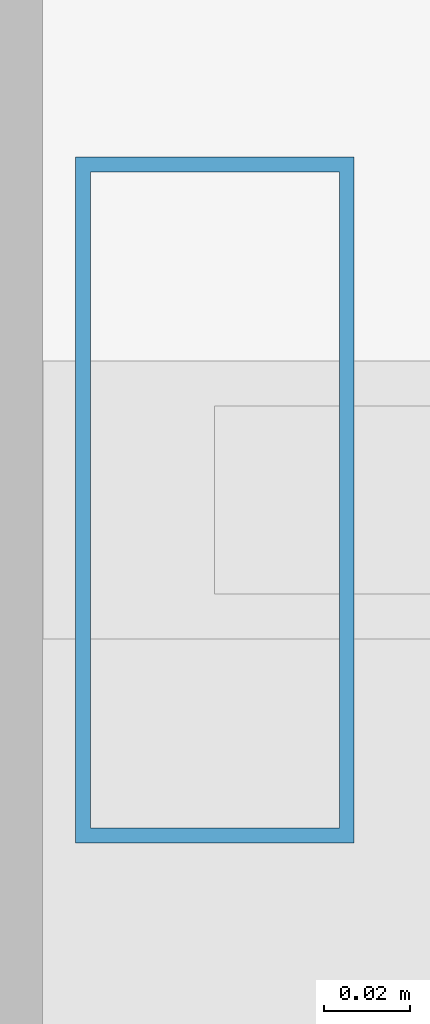
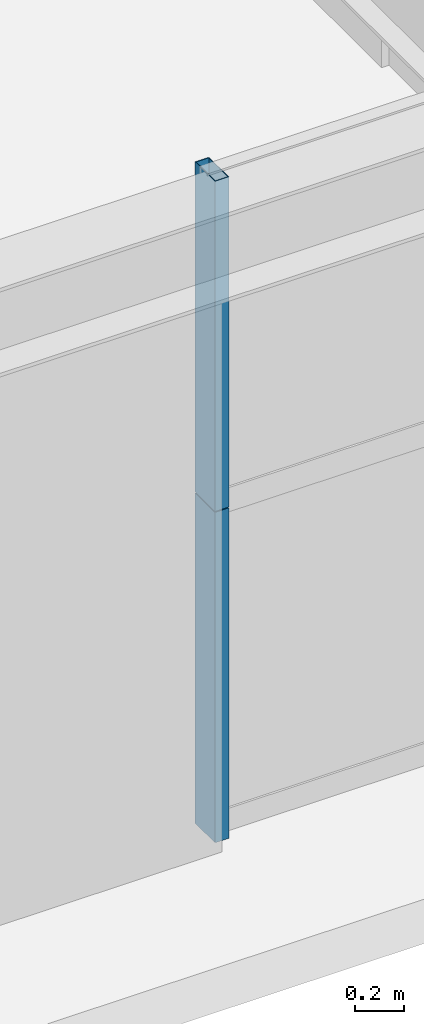
# One storey, part 4 of 42: 2 members, 1 element without a shape of its own.
"""IFC4 building model written with IfcOpenShell, lengths in metres."""

from ifc_helpers import new_model, si_unit, direction, frame, origin, origin_2d, place, context, subcontext, project, spatial, hollow_rectangle, extrude, source, transform, mapped, material, layer, layer_set, material_profile, profile_set, type_object, element, aggregate, save


model = new_model("IFC4")

# Units and contexts
model_context = context("Model", 3, precision=1e-05, world=origin(), true_north=direction((0.0, 1.0)))
body_context = subcontext(model_context, "Body", "Model", "MODEL_VIEW")
ifc_project = project(units=[si_unit("LENGTHUNIT", "METRE"), si_unit("AREAUNIT", "SQUARE_METRE"), si_unit("VOLUMEUNIT", "CUBIC_METRE"), si_unit("PLANEANGLEUNIT", "RADIAN"), si_unit("MASSUNIT", "GRAM", prefix="KILO"), si_unit("THERMODYNAMICTEMPERATUREUNIT", "KELVIN"), si_unit("POWERUNIT", "WATT")], contexts=[model_context])

# Site, building, storey
site_placement = place(None, origin())
site = spatial("IfcSite", under=ifc_project, at=site_placement, CompositionType="ELEMENT")
building_placement = place(site_placement, origin())
building = spatial("IfcBuilding", under=site, at=building_placement, Name="Yuzanri Waterfront Tower", CompositionType="ELEMENT")
storey_placement = place(building_placement, frame((0.0, 0.0, 205.5)))
storey = spatial("IfcBuildingStorey", under=building, at=storey_placement, Name="L54", CompositionType="ELEMENT", Elevation=205.5)

# Curtain wall, members
ifc_material_1 = material(Name="Anodized Architectural Bronze", Category="metal")
ifc_layer = layer(ifc_material_1, 0.159912109375)
ifc_layer_set = layer_set([ifc_layer], Name="Anodized Architectural Bronze")
curtain_wall_type = type_object("IfcCurtainWallType", Name="Anodized Bronze Mid-Rise Residential Acoustic Unitized Curtain Wall 7200", PredefinedType="NOTDEFINED", material=ifc_layer_set)
curtain_wall_placement = place(storey_placement, origin())
curtain_wall = element("IfcCurtainWall", 1, at=curtain_wall_placement, inside=storey, type_object=curtain_wall_type, Name="L54 Curtain Wall CW-L54-SL1", PredefinedType="NOTDEFINED")
ifc_material_2 = material(Name="Anodized Architectural Bronze", Category="metal")
ifc_material_profile = material_profile(ifc_material_2, hollow_rectangle(XDim=0.06494140625, YDim=0.159912109375, WallThickness=0.00341796875, at=origin_2d()), Name="CWM 65x160")
ifc_profile_set = profile_set([ifc_material_profile], Name="Anodized Architectural Bronze")
member_type = type_object("IfcMemberType", Name="Anodized Bronze Upper-Zone Curtain-Wall Mullion 65x160", PredefinedType="MULLION", material=ifc_profile_set)
shared_shape = source(origin(), body_context, "Body", "SweptSolid", [
    extrude(hollow_rectangle(XDim=0.06494140625, YDim=0.159912109375, WallThickness=0.00341796875, at=origin_2d()), origin(), (0.0, 0.0, 1.0), 1.637939453125),
])
member_1_placement = place(storey_placement, frame((22.2900390625, 3.85009765625, 0.0), z_axis=(0.0, 0.0, 1.0), x_axis=(1.0, 0.0, 0.0)))
member_1 = element("IfcMember", 2, at=member_1_placement, type_object=member_type, Name="CW-L54-SL1 Lower Mullion 00", PredefinedType="MULLION", context=body_context, shape_type="MappedRepresentation", body=[
    mapped(shared_shape, transform((0.0, 0.0, 0.0), scale=1.0)),
])
member_2_placement = place(storey_placement, frame((22.2900390625, 3.85009765625, 1.64208984375), z_axis=(0.0, 0.0, 1.0), x_axis=(1.0, 0.0, 0.0)))
member_2 = element("IfcMember", 3, at=member_2_placement, type_object=member_type, Name="CW-L54-SL1 Upper Mullion 00", PredefinedType="MULLION", context=body_context, shape_type="MappedRepresentation", body=[
    mapped(shared_shape, transform((0.0, 0.0, 0.0), scale=1.0)),
])
aggregate(curtain_wall, [member_1, member_2])

save(model, "model.ifc")
